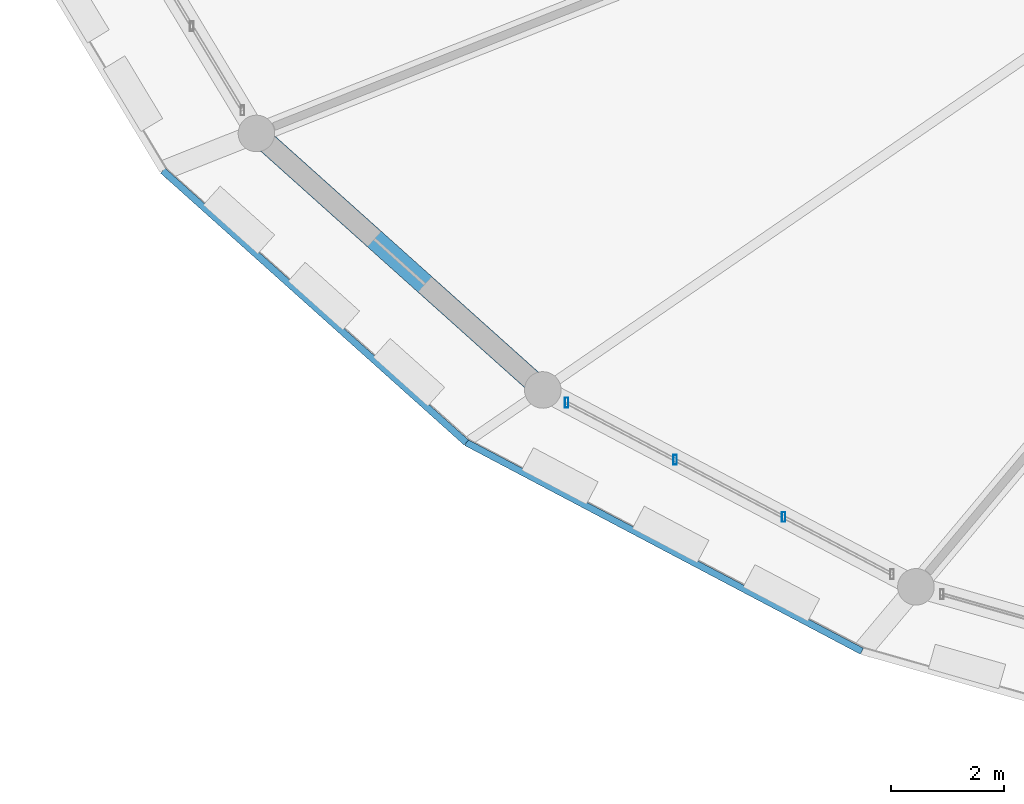
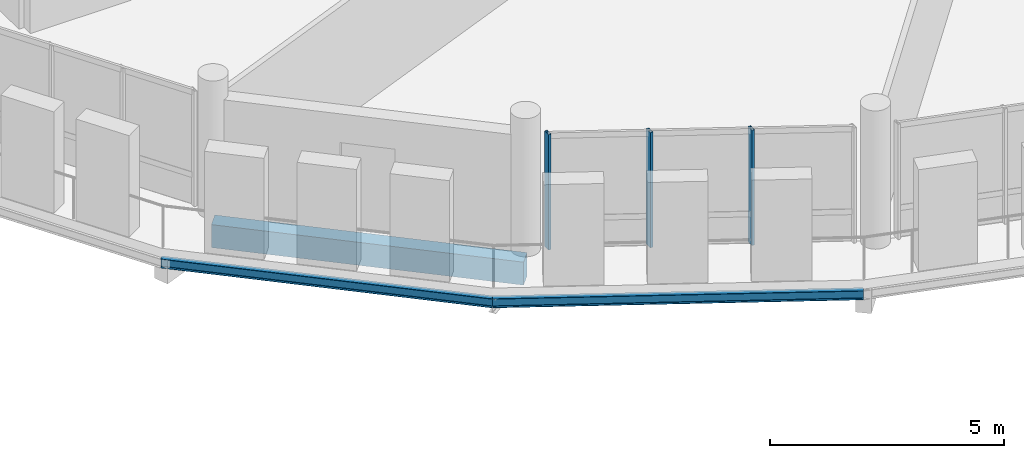
# One storey, part 18 of 93: 3 beams, 3 members, 1 element without a shape of its own.
"""IFC4 building model written with IfcOpenShell, lengths in metres."""

from ifc_helpers import new_model, si_unit, direction, frame, origin, origin_2d, place, context, subcontext, project, spatial, rectangle, hollow_rectangle, i_section, extrude, material, material_profile, profile_set, type_object, element, aggregate, save


model = new_model("IFC4")

# Units and contexts
model_context = context("Model", 3, precision=1e-05, world=origin(), true_north=direction((0.0, 1.0)))
body_context = subcontext(model_context, "Body", "Model", "MODEL_VIEW")
ifc_project = project(units=[si_unit("LENGTHUNIT", "METRE"), si_unit("AREAUNIT", "SQUARE_METRE"), si_unit("VOLUMEUNIT", "CUBIC_METRE"), si_unit("PLANEANGLEUNIT", "RADIAN"), si_unit("MASSUNIT", "GRAM", prefix="KILO")], contexts=[model_context])

# Site, building, storey
site_placement = place(None, origin())
site = spatial("IfcSite", under=ifc_project, at=site_placement, CompositionType="ELEMENT")
building_placement = place(site_placement, origin())
building = spatial("IfcBuilding", under=site, at=building_placement, Name="Zornivar Specialist Clinic", CompositionType="ELEMENT")
storey_placement = place(building_placement, frame((0.0, 0.0, 8.39990234375)))
storey = spatial("IfcBuildingStorey", under=building, at=storey_placement, Name="L02", CompositionType="ELEMENT", Elevation=8.39990234375)

# Beams
ifc_material_1 = material(Name="Concrete C30/37", Category="concrete")
ifc_material_profile_1 = material_profile(ifc_material_1, rectangle(XDim=0.3701171875, YDim=0.60009765625, at=origin_2d()), Name="RC 370x600")
ifc_profile_set_1 = profile_set([ifc_material_profile_1], Name="Concrete C30/37")
beam_type_1 = type_object("IfcBeamType", Name="BM-RC-SPANDREL-370x600", PredefinedType="SPANDREL", material=ifc_profile_set_1)
beam_1_placement = place(storey_placement, frame((65.886962890625, 46.60009765625, -0.539794921875), z_axis=(0.744835335723, -0.667248321585, 0.0), x_axis=(0.667248321585, 0.744835335723, 0.0)))
element("IfcBeam", 1, at=beam_1_placement, inside=storey, type_object=beam_type_1, Name="bm:V1:L02:outring:14", PredefinedType="SPANDREL", context=body_context, shape_type="SweptSolid", body=[
    extrude(rectangle(XDim=0.3701171875, YDim=0.60009765625, at=origin_2d()), origin(), (0.0, 0.0, 1.0), 6.828369140625),
])
ifc_material_2 = material(Name="Steel S355J2", Category="steel")
ifc_material_profile_2 = material_profile(ifc_material_2, i_section(OverallWidth=0.1201171875, OverallDepth=0.239990234375, WebThickness=0.006103515625, FlangeThickness=0.009765625, FilletRadius=0.014892578125, at=origin_2d()), Name="IPE 240")
ifc_profile_set_2 = profile_set([ifc_material_profile_2], Name="Steel S355J2")
beam_type_2 = type_object("IfcBeamType", Name="BM-STL-IPE240", PredefinedType="JOIST", material=ifc_profile_set_2)
beam_2_placement = place(storey_placement, frame((64.22412109375, 45.93994140625, -0.35986328125), z_axis=(0.744800061157, -0.667287695751, 0.0), x_axis=(0.667287695751, 0.744800061157, 0.0)))
element("IfcBeam", 2, at=beam_2_placement, inside=storey, type_object=beam_type_2, Name="bm:V1:L02:balring:14", PredefinedType="JOIST", context=body_context, shape_type="SweptSolid", body=[
    extrude(i_section(OverallWidth=0.1201171875, OverallDepth=0.239990234375, WebThickness=0.006103515625, FlangeThickness=0.009765625, FilletRadius=0.014892578125, at=origin_2d()), origin(), (0.0, 0.0, 1.0), 7.238037109375),
])
beam_3_placement = place(storey_placement, frame((69.614990234375, 41.110107421875, -0.35986328125), z_axis=(0.88446439618, -0.466607685202, 0.0), x_axis=(0.466607685202, 0.88446439618, 0.0)))
element("IfcBeam", 3, at=beam_3_placement, inside=storey, type_object=beam_type_2, Name="bm:V1:L02:balring:15", PredefinedType="JOIST", context=body_context, shape_type="SweptSolid", body=[
    extrude(i_section(OverallWidth=0.1201171875, OverallDepth=0.239990234375, WebThickness=0.006103515625, FlangeThickness=0.009765625, FilletRadius=0.014892578125, at=origin_2d()), origin(), (0.0, 0.0, 1.0), 7.942626953125),
])

# Curtain wall, members
ifc_material_3 = material(Name="Aluminium and Low-E Glass Curtain Wall", Category="aluminium")
curtain_wall_type = type_object("IfcCurtainWallType", Name="CW-DRUM-FACET", PredefinedType="NOTDEFINED", material=ifc_material_3)
curtain_wall_placement = place(storey_placement, origin())
curtain_wall = element("IfcCurtainWall", 4, at=curtain_wall_placement, inside=storey, type_object=curtain_wall_type, Name="cw:V1:L02:c15", PredefinedType="NOTDEFINED")
ifc_material_4 = material(Name="Aluminium AW-6060", Category="aluminium")
ifc_material_profile_3 = material_profile(ifc_material_4, hollow_rectangle(XDim=0.06494140625, YDim=0.175048828125, WallThickness=0.00439453125, at=origin_2d()), Name="ALU 65x175x4.5")
ifc_profile_set_3 = profile_set([ifc_material_profile_3], Name="Aluminium AW-6060")
member_type = type_object("IfcMemberType", Name="CWM-MUL-175", PredefinedType="MULLION", material=ifc_profile_set_3)
member_1_placement = place(storey_placement, frame((71.39697265625, 41.820068359375, 0.0), z_axis=(0.0, 0.0, 1.0), x_axis=(1.0, 0.0, 0.0)))
member_1 = element("IfcMember", 5, at=member_1_placement, type_object=member_type, Name="cw:V1:L02:c15:mul:0", PredefinedType="MULLION", context=body_context, shape_type="SweptSolid", body=[
    extrude(hollow_rectangle(XDim=0.06494140625, YDim=0.175048828125, WallThickness=0.00439453125, at=origin_2d()), origin(), (0.0, 0.0, 1.0), 3.010009765625),
])
member_2_placement = place(storey_placement, frame((73.323974609375, 40.803955078125, 0.0), z_axis=(0.0, 0.0, 1.0), x_axis=(1.0, 0.0, 0.0)))
member_2 = element("IfcMember", 6, at=member_2_placement, type_object=member_type, Name="cw:V1:L02:c15:mul:1", PredefinedType="MULLION", context=body_context, shape_type="SweptSolid", body=[
    extrude(hollow_rectangle(XDim=0.06494140625, YDim=0.175048828125, WallThickness=0.00439453125, at=origin_2d()), origin(), (0.0, 0.0, 1.0), 3.010009765625),
])
member_3_placement = place(storey_placement, frame((75.25, 39.787109375, 0.0), z_axis=(0.0, 0.0, 1.0), x_axis=(1.0, 0.0, 0.0)))
member_3 = element("IfcMember", 7, at=member_3_placement, type_object=member_type, Name="cw:V1:L02:c15:mul:2", PredefinedType="MULLION", context=body_context, shape_type="SweptSolid", body=[
    extrude(hollow_rectangle(XDim=0.06494140625, YDim=0.175048828125, WallThickness=0.00439453125, at=origin_2d()), origin(), (0.0, 0.0, 1.0), 3.010009765625),
])
aggregate(curtain_wall, [member_1, member_2, member_3])

save(model, "model.ifc")
